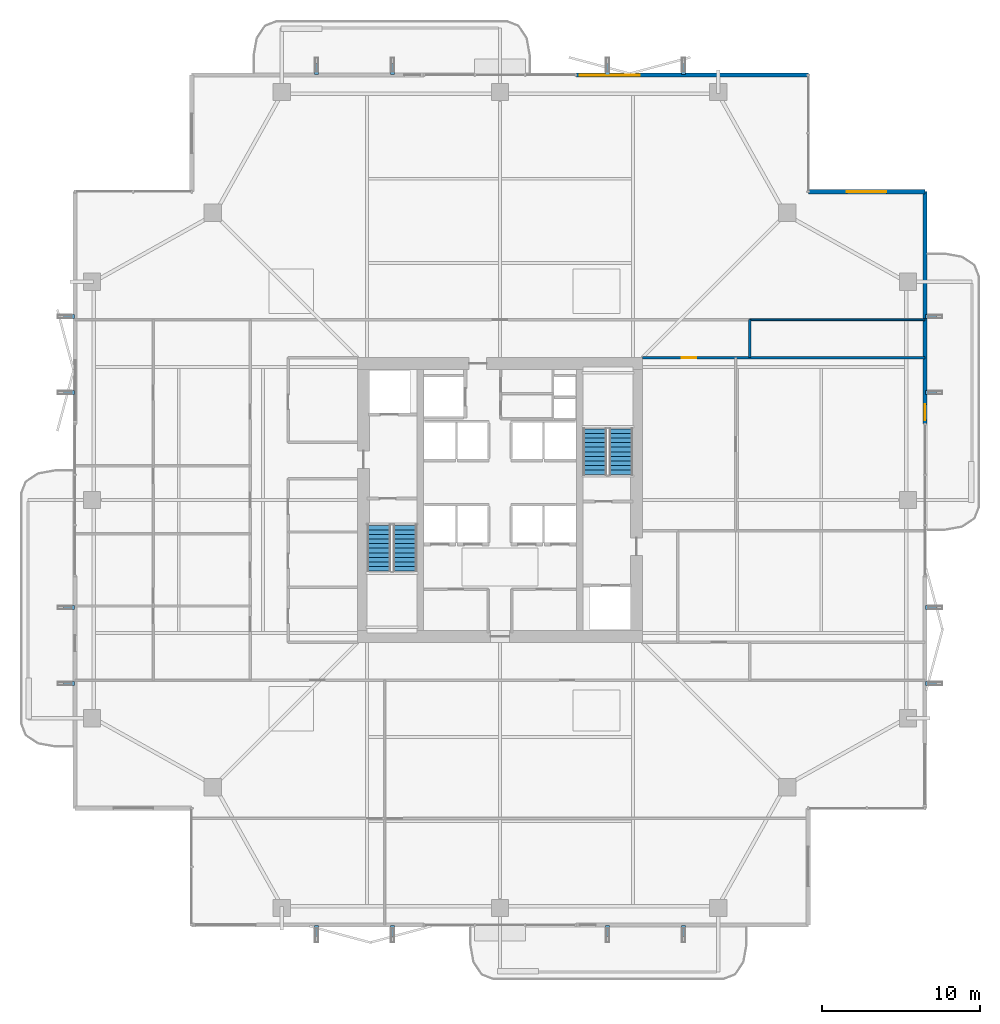
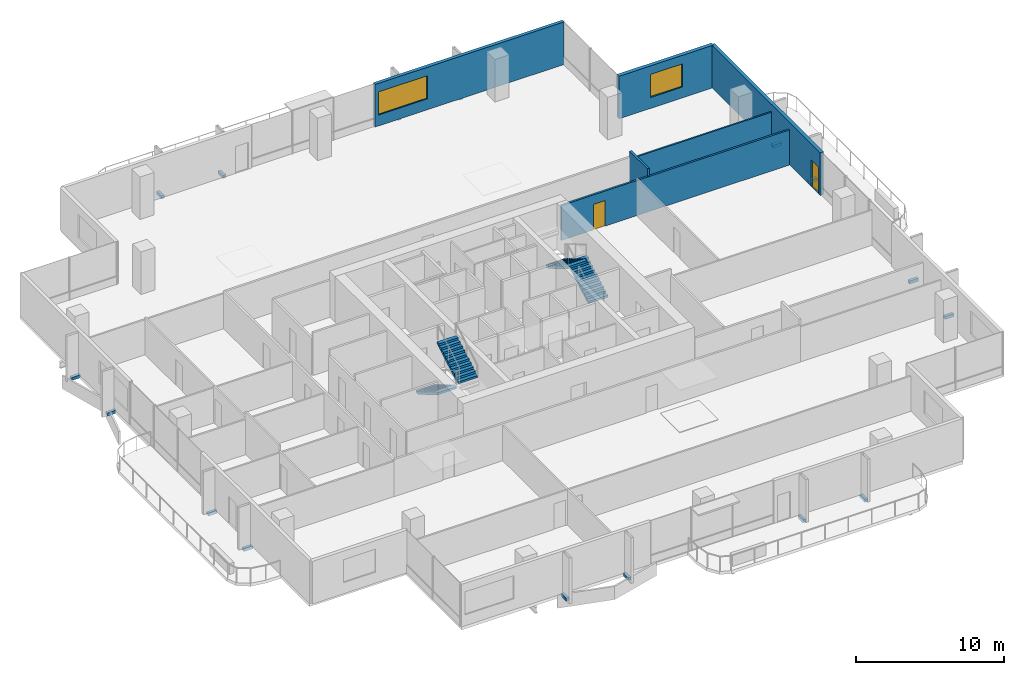
# One storey, part 25 of 29: 16 discrete accessories, 6 walls, 4 stair flights, 2 doors, 2 windows, 4 openings, 2 elements without a shape of their own.
"""IFC4 building model written with IfcOpenShell, lengths in metres."""

import ifcopenshell
import ifcopenshell.guid

model = None  # the IFC model being written
_history = None  # IfcOwnerHistory: only IFC2X3 demands one
_inside = {}  # id of a spatial element -> (the spatial element, [elements in it])
_under = {}  # id of a project, library or spatial element -> (it, [spatial elements below it])
_declared = {}  # id of a project -> (the project, [libraries it declares])
_typed = {}  # id of a type object -> (the type object, [elements of that type])
_made_of = {}  # id of a material, layer set ... -> (it, [elements and type objects made of it])


def new_model(schema):
    """Start an empty IFC model of exactly this schema.

    Asked for "IFC4X3", IfcOpenShell would pick the latest addendum, in which some entities
    have other attributes; the version numbers below select the first issue.
    IFC2X3 requires an IfcOwnerHistory on every rooted entity: one is made here for all.
    """
    global model, _history
    if schema == "IFC4X3":
        model = ifcopenshell.file(schema_version=(4, 3, 0, 0))
    else:
        model = ifcopenshell.file(schema=schema)
    _inside.clear()
    _under.clear()
    _declared.clear()
    _typed.clear()
    _made_of.clear()
    _history = None
    if model.schema == "IFC2X3":
        org = make("IfcOrganization", Name="unknown")
        user = make(
            "IfcPersonAndOrganization",
            ThePerson=make("IfcPerson", FamilyName="unknown"),
            TheOrganization=org,
        )
        app = make(
            "IfcApplication",
            ApplicationDeveloper=org,
            Version="unknown",
            ApplicationFullName="unknown",
            ApplicationIdentifier="unknown",
        )
        _history = make(
            "IfcOwnerHistory",
            OwningUser=user,
            OwningApplication=app,
            ChangeAction="ADDED",
            CreationDate=0,
        )
    return model


def make(cls, **values):
    """One entity of the class cls with the attributes given. An attribute that is None is left unset."""
    return model.create_entity(
        cls, **{name: value for name, value in values.items() if value is not None}
    )


def rooted(cls, **values):
    """An entity with a GlobalId (a new one), such as an element, a storey or a relation."""
    return make(cls, GlobalId=ifcopenshell.guid.new(), OwnerHistory=_history, **values)


def si_unit(unit_type, name, prefix=None):
    """IfcSIUnit, for example si_unit("LENGTHUNIT", "METRE", prefix="MILLI")."""
    return make("IfcSIUnit", UnitType=unit_type, Prefix=prefix, Name=name)


def assignment(units):
    """IfcUnitAssignment: the units of a project."""
    return None if units is None else make("IfcUnitAssignment", Units=units)


def point(xyz):
    """IfcCartesianPoint."""
    return None if xyz is None else make("IfcCartesianPoint", Coordinates=xyz)


def direction(xyz):
    """IfcDirection."""
    return None if xyz is None else make("IfcDirection", DirectionRatios=xyz)


def frame(location, z_axis=None, x_axis=None):
    """IfcAxis2Placement3D, a coordinate frame: its origin and axes. An axis left out is left unset."""
    return make(
        "IfcAxis2Placement3D",
        Location=point(location),
        Axis=direction(z_axis),
        RefDirection=direction(x_axis),
    )


def frame_2d(location, x_axis=None):
    """IfcAxis2Placement2D, a coordinate frame in the plane: its origin and x axis."""
    return make(
        "IfcAxis2Placement2D", Location=point(location), RefDirection=direction(x_axis)
    )


def origin():
    """The frame at (0, 0, 0) with its axes left unset."""
    return frame((0.0, 0.0, 0.0))


def origin_2d():
    """The frame at (0, 0) in the plane with its x axis left unset."""
    return frame_2d((0.0, 0.0))


def place(relative_to, where):
    """IfcLocalPlacement: puts the frame where relative to a parent placement (None: the world)."""
    return make(
        "IfcLocalPlacement", PlacementRelTo=relative_to, RelativePlacement=where
    )


def context(
    kind, dimensions, precision=None, world=None, true_north=None, identifier=None
):
    """IfcGeometricRepresentationContext, for example the 3D "Model" context."""
    return make(
        "IfcGeometricRepresentationContext",
        ContextIdentifier=identifier,
        ContextType=kind,
        CoordinateSpaceDimension=dimensions,
        Precision=precision,
        WorldCoordinateSystem=world,
        TrueNorth=true_north,
    )


def subcontext(parent, identifier, kind, view, scale=None):
    """IfcGeometricRepresentationSubContext, for example "Body" below "Model"."""
    return make(
        "IfcGeometricRepresentationSubContext",
        ContextIdentifier=identifier,
        ContextType=kind,
        ParentContext=parent,
        TargetScale=scale,
        TargetView=view,
    )


def project(units=None, contexts=None):
    """IfcProject with its units and contexts."""
    return rooted(
        "IfcProject",
        Name="project",
        RepresentationContexts=contexts,
        UnitsInContext=assignment(units),
    )


def spatial(cls, under=None, at=None, **own):
    """A site, building, storey or space (cls), placed at a placement, below another one or the project."""
    s = rooted(cls, ObjectPlacement=at, **own)
    if under is not None:
        _under.setdefault(under.id(), (under, []))[1].append(s)
    return s


def polyline(points):
    """IfcPolyline through the points."""
    return make("IfcPolyline", Points=[point(p) for p in points])


def profile(cls, at=None, kind="AREA", **sizes):
    """A parametric profile (cls). Its sizes go by their IFC names, for example OverallWidth=200.0."""
    return make(cls, ProfileType=kind, Position=at, **sizes)


def rectangle(**sizes):
    """IfcRectangleProfileDef."""
    return profile("IfcRectangleProfileDef", **sizes)


def outline(outer, holes=None, kind="AREA"):
    """IfcArbitraryClosedProfileDef: a profile drawn as a closed curve; with holes, ...WithVoids."""
    if holes is None:
        return make("IfcArbitraryClosedProfileDef", ProfileType=kind, OuterCurve=outer)
    return make(
        "IfcArbitraryProfileDefWithVoids",
        ProfileType=kind,
        OuterCurve=outer,
        InnerCurves=holes,
    )


def extrude(swept, where, along, depth):
    """IfcExtrudedAreaSolid: the profile swept, set in the frame where, extruded along a direction by depth."""
    return make(
        "IfcExtrudedAreaSolid",
        SweptArea=swept,
        Position=where,
        ExtrudedDirection=direction(along),
        Depth=depth,
    )


def shape(context_of_items, identifier, shape_type, items):
    """IfcShapeRepresentation: the items that make up one representation, for example the "Body"."""
    return make(
        "IfcShapeRepresentation",
        ContextOfItems=context_of_items,
        RepresentationIdentifier=identifier,
        RepresentationType=shape_type,
        Items=items,
    )


def material(Name=None, Category=None):
    """IfcMaterial."""
    return make("IfcMaterial", Name=Name, Category=Category)


def layer(
    of_material, thickness, ventilated=None, Name=None, Category=None, Priority=None
):
    """IfcMaterialLayer: one layer of a wall or slab, of a material (None: an air gap)."""
    return make(
        "IfcMaterialLayer",
        Material=of_material,
        LayerThickness=thickness,
        IsVentilated=ventilated,
        Name=Name,
        Category=Category,
        Priority=Priority,
    )


def layer_set(layers, Name=None):
    """IfcMaterialLayerSet."""
    return make("IfcMaterialLayerSet", MaterialLayers=layers, LayerSetName=Name)


def made_of(thing, what):
    """Note that an element or type object is made of a material, layer set ...; save() writes the relation."""
    if what is not None:
        _made_of.setdefault(what.id(), (what, []))[1].append(thing)
    return thing


def type_object(cls, material=None, **own):
    """A type object (cls), such as IfcWallType, which elements share."""
    return made_of(rooted(cls, **own), material)


def element(
    cls,
    number,
    at=None,
    inside=None,
    cuts=None,
    type_object=None,
    material=None,
    context=None,
    identifier="Body",
    shape_type=None,
    held_by="IfcProductDefinitionShape",
    body=None,
    shapes=None,
    **own,
):
    """One element of the class cls, such as IfcWall. Its Tag is "e" and its number.

    at: its placement. inside: the storey or other place that contains it. cuts: it is an
    opening in that element (IfcRelVoidsElement). A single representation is given by context,
    identifier, shape_type and body (its items); several are given by shapes. held_by: the class
    of the entity that holds the representations. save() writes the other relations.
    """
    e = rooted(cls, Tag="e%d" % number, ObjectPlacement=at, **own)
    if body is not None:
        shapes = [shape(context, identifier, shape_type, body)]
    if shapes is not None:
        e.Representation = make(held_by, Representations=shapes)
    if inside is not None:
        _inside.setdefault(inside.id(), (inside, []))[1].append(e)
    if cuts is not None:
        rooted(
            "IfcRelVoidsElement", RelatingBuildingElement=cuts, RelatedOpeningElement=e
        )
    if type_object is not None:
        _typed.setdefault(type_object.id(), (type_object, []))[1].append(e)
    return made_of(e, material)


def fill(opening, filler):
    """IfcRelFillsElement: the door or window that sits in an opening."""
    return rooted(
        "IfcRelFillsElement",
        RelatingOpeningElement=opening,
        RelatedBuildingElement=filler,
    )


def aggregate(whole, parts):
    """IfcRelAggregates: a whole, such as a stair, and the parts it consists of."""
    return rooted("IfcRelAggregates", RelatingObject=whole, RelatedObjects=parts)


def save(model, path):
    """Write the relations noted so far, then the file.

    IfcRelAggregates (storeys below a building ...), IfcRelContainedInSpatialStructure (elements
    in a storey), IfcRelDefinesByType, IfcRelAssociatesMaterial and IfcRelDeclares: one each for
    every whole, place, type object, material and project.
    """
    for whole, parts in _under.values():
        aggregate(whole, parts)
    for where, things in _inside.values():
        rooted(
            "IfcRelContainedInSpatialStructure",
            RelatedElements=things,
            RelatingStructure=where,
        )
    for kind, things in _typed.values():
        rooted("IfcRelDefinesByType", RelatedObjects=things, RelatingType=kind)
    for what, things in _made_of.values():
        rooted("IfcRelAssociatesMaterial", RelatedObjects=things, RelatingMaterial=what)
    for by, libraries in _declared.values():
        rooted("IfcRelDeclares", RelatingContext=by, RelatedDefinitions=libraries)
    model.write(path)


model = new_model("IFC4")

# Units and contexts
model_context = context("Model", 3, precision=1e-05, world=origin(), true_north=direction((0.0, 1.0)))
body_context = subcontext(model_context, "Body", "Model", "MODEL_VIEW")
ifc_project = project(units=[si_unit("LENGTHUNIT", "METRE"), si_unit("AREAUNIT", "SQUARE_METRE"), si_unit("VOLUMEUNIT", "CUBIC_METRE"), si_unit("PLANEANGLEUNIT", "RADIAN"), si_unit("MASSUNIT", "GRAM", prefix="KILO")], contexts=[model_context])

# Site, building, storey
site_placement = place(None, origin())
site = spatial("IfcSite", under=ifc_project, at=site_placement, CompositionType="ELEMENT")
building_placement = place(site_placement, origin())
building = spatial("IfcBuilding", under=site, at=building_placement, Name="Belovzor Exchange Tower", CompositionType="ELEMENT")
storey_placement = place(building_placement, frame((0.0, 0.0, 199.949951171875)))
storey = spatial("IfcBuildingStorey", under=building, at=storey_placement, Name="L49", CompositionType="ELEMENT", Elevation=199.949951171875)

# Walls
ifc_material_1 = material(Name="Acoustic Plasterboard on Galvanised Studs", Category="gypsum")
ifc_layer_1 = layer(ifc_material_1, 0.1201171875)
ifc_layer_set_1 = layer_set([ifc_layer_1], Name="Acoustic Plasterboard on Galvanised Studs")
wall_type_1 = type_object("IfcWallType", Name="Acoustic Double-Stud Partition Wall 120", PredefinedType="PARTITIONING", material=ifc_layer_set_1)
wall_1_placement = place(storey_placement, frame((44.60009765625, 40.199951171875, 0.0), z_axis=(0.0, 0.0, 1.0), x_axis=(1.0, 0.0, 0.0)))
element("IfcWall", 1, at=wall_1_placement, inside=storey, type_object=wall_type_1, Name="W-P120 Partition Wall W-L49-END-NE", PredefinedType="PARTITIONING", context=body_context, shape_type="SweptSolid", body=[
    extrude(rectangle(XDim=11.06982421875, YDim=0.1201171875, at=frame_2d((5.534912109375, 0.0))), origin(), (0.0, 0.0, 1.0), 2.885009765625),
])
ifc_material_2 = material(Name="Fire-Rated Gypsum Block and Mineral Wool", Category="gypsum")
ifc_layer_2 = layer(ifc_material_2, 0.14990234375)
ifc_layer_set_2 = layer_set([ifc_layer_2], Name="Fire-Rated Gypsum Block and Mineral Wool")
wall_type_2 = type_object("IfcWallType", Name="Fire-Rated Gypsum Block Corridor Wall 150", PredefinedType="PARTITIONING", material=ifc_layer_set_2)
wall_2_placement = place(storey_placement, frame((44.60009765625, 37.800048828125, 0.0), z_axis=(0.0, 0.0, 1.0), x_axis=(0.0, 1.0, 0.0)))
element("IfcWall", 2, at=wall_2_placement, inside=storey, type_object=wall_type_2, Name="W-P150 Partition Wall W-L49-END-EN", PredefinedType="PARTITIONING", context=body_context, shape_type="SweptSolid", body=[
    extrude(rectangle(XDim=2.39990234375, YDim=0.14990234375, at=frame_2d((1.199951171875, 0.0))), origin(), (0.0, 0.0, 1.0), 3.5),
])

# Wall, opening, door
wall_3_placement = place(storey_placement, frame((37.800048828125, 37.800048828125, 0.0), z_axis=(0.0, 0.0, 1.0), x_axis=(1.0, 0.0, 0.0)))
wall_3 = element("IfcWall", 3, at=wall_3_placement, inside=storey, type_object=wall_type_2, Name="W-P150 Partition Wall W-L49-CN-IN", PredefinedType="PARTITIONING", context=body_context, shape_type="SweptSolid", body=[
    extrude(rectangle(XDim=17.869873046875, YDim=0.14990234375, at=frame_2d((8.93505859375, 0.0))), origin(), (0.0, 0.0, 1.0), 2.885009765625),
])
opening_1_placement = place(wall_3_placement, frame((2.5, 0.0, 0.0)))
opening_1 = element("IfcOpeningElement", 4, at=opening_1_placement, cuts=wall_3, Name="Opening D-INT-090", PredefinedType="OPENING", context=body_context, shape_type="SweptSolid", body=[
    extrude(rectangle(XDim=0.89990234375, YDim=2.10009765625, at=frame_2d((0.449951171875, 1.050048828125))), frame((0.0, 0.0849609375, 0.0), z_axis=(0.0, -1.0, 0.0), x_axis=(1.0, 0.0, 0.0)), (0.0, 0.0, 1.0), 0.169921875),
])
ifc_material_3 = material(Name="Veneered Hardwood Acoustic Leaf", Category="wood")
door_type_1 = type_object("IfcDoorType", Name="Trading Suite Acoustic Single Door 900x2100", OperationType="NOTDEFINED", PredefinedType="DOOR", material=ifc_material_3)
door_1_placement = place(opening_1_placement, origin())
door_1 = element("IfcDoor", 5, at=door_1_placement, inside=storey, type_object=door_type_1, Name="D-INT-090 Trading Suite Acoustic Single Door 900x2100", OperationType="SINGLE_SWING_RIGHT", OverallHeight=2.10009765625, OverallWidth=0.89990234375, PredefinedType="DOOR", context=body_context, shape_type="SweptSolid", body=[
    extrude(rectangle(XDim=0.89990234375, YDim=2.10009765625, at=frame_2d((0.449951171875, 1.050048828125))), frame((0.0, 0.02490234375, 0.0), z_axis=(0.0, -1.0, 0.0), x_axis=(1.0, 0.0, 0.0)), (0.0, 0.0, 1.0), 0.050048828125),
])
fill(opening_1, door_1)

# Wall, opening, window
ifc_material_4 = material(Name="Precast concrete C40/50", Category="concrete")
ifc_layer_3 = layer(ifc_material_4, 0.280029296875)
ifc_layer_set_3 = layer_set([ifc_layer_3], Name="Precast concrete C40/50")
wall_type_3 = type_object("IfcWallType", Name="Precast Concrete Notched Corner Frame Wall 280", PredefinedType="SOLIDWALL", material=ifc_layer_set_3)
wall_4_placement = place(storey_placement, frame((48.300048828125, 48.300048828125, 0.0), z_axis=(0.0, 0.0, 1.0), x_axis=(1.0, 0.0, 0.0)))
wall_4 = element("IfcWall", 6, at=wall_4_placement, inside=storey, type_object=wall_type_3, Name="W-CRN280 Precast Concrete Notched Corner Frame Wall 280 L49", PredefinedType="SOLIDWALL", context=body_context, shape_type="SweptSolid", body=[
    extrude(rectangle(XDim=7.369873046875, YDim=0.280029296875, at=frame_2d((3.68505859375, 0.0))), origin(), (0.0, 0.0, 1.0), 3.5),
])
opening_2_placement = place(wall_4_placement, frame((2.43505859375, 0.0, 0.89990234375)))
opening_2 = element("IfcOpeningElement", 7, at=opening_2_placement, cuts=wall_4, Name="Opening WN-CRN250", PredefinedType="OPENING", context=body_context, shape_type="SweptSolid", body=[
    extrude(rectangle(XDim=2.5, YDim=1.89990234375, at=frame_2d((1.25, 0.949951171875))), frame((0.0, 0.14990234375, 0.0), z_axis=(0.0, -1.0, 0.0), x_axis=(1.0, 0.0, 0.0)), (0.0, 0.0, 1.0), 0.300048828125),
])
ifc_material_5 = material(Name="Thermally Broken Aluminium and Triple Glazing", Category="aluminium")
window_type_1 = type_object("IfcWindowType", Name="Streamline Moderne Corner Wrap Ribbon Window 2500x1900", PartitioningType="SINGLE_PANEL", PredefinedType="WINDOW", material=ifc_material_5)
window_1_placement = place(opening_2_placement, origin())
window_1 = element("IfcWindow", 8, at=window_1_placement, inside=storey, type_object=window_type_1, Name="WN-CRN250 Streamline Moderne Corner Wrap Ribbon Window 2500x1900", OverallHeight=1.89990234375, OverallWidth=2.5, PartitioningType="SINGLE_PANEL", PredefinedType="WINDOW", context=body_context, shape_type="SweptSolid", body=[
    extrude(rectangle(XDim=2.5, YDim=1.89990234375, at=frame_2d((1.25, 0.949951171875))), frame((0.0, 0.030029296875, 0.0), z_axis=(0.0, -1.0, 0.0), x_axis=(1.0, 0.0, 0.0)), (0.0, 0.0, 1.0), 0.06005859375),
])
fill(opening_2, window_1)

ifc_material_6 = material(Name="Precast concrete C40/50", Category="concrete")
ifc_layer_4 = layer(ifc_material_6, 0.260009765625)
ifc_layer_set_4 = layer_set([ifc_layer_4], Name="Precast concrete C40/50")
wall_type_4 = type_object("IfcWallType", Name="Precast Concrete Perimeter Loggia Frame Wall 260", PredefinedType="SOLIDWALL", material=ifc_layer_set_4)
wall_5_placement = place(storey_placement, frame((33.60009765625, 55.669921875, 0.0), z_axis=(0.0, 0.0, 1.0), x_axis=(1.0, 0.0, 0.0)))
wall_5 = element("IfcWall", 9, at=wall_5_placement, inside=storey, type_object=wall_type_4, Name="W-EXT260 Precast Concrete Perimeter Loggia Frame Wall 260 L49", PredefinedType="SOLIDWALL", context=body_context, shape_type="SweptSolid", body=[
    extrude(rectangle(XDim=14.699951171875, YDim=0.260009765625, at=frame_2d((7.35009765625, 0.0))), origin(), (0.0, 0.0, 1.0), 3.5),
])
opening_3_placement = place(wall_5_placement, frame((0.25, 0.0, 0.89990234375)))
opening_3 = element("IfcOpeningElement", 10, at=opening_3_placement, cuts=wall_5, Name="Opening WN-RIB380", PredefinedType="OPENING", context=body_context, shape_type="SweptSolid", body=[
    extrude(rectangle(XDim=3.800048828125, YDim=1.89990234375, at=frame_2d((1.89990234375, 0.949951171875))), frame((0.0, 0.139892578125, 0.0), z_axis=(0.0, -1.0, 0.0), x_axis=(1.0, 0.0, 0.0)), (0.0, 0.0, 1.0), 0.280029296875),
])
ifc_material_7 = material(Name="Thermally Broken Aluminium and Triple Glazing", Category="aluminium")
window_type_2 = type_object("IfcWindowType", Name="Streamline Moderne Horizontal Ribbon Window 3800x1900", PartitioningType="SINGLE_PANEL", PredefinedType="WINDOW", material=ifc_material_7)
window_2_placement = place(opening_3_placement, origin())
window_2 = element("IfcWindow", 11, at=window_2_placement, inside=storey, type_object=window_type_2, Name="WN-RIB380 Streamline Moderne Horizontal Ribbon Window 3800x1900", OverallHeight=1.89990234375, OverallWidth=3.800048828125, PartitioningType="SINGLE_PANEL", PredefinedType="WINDOW", context=body_context, shape_type="SweptSolid", body=[
    extrude(rectangle(XDim=3.800048828125, YDim=1.89990234375, at=frame_2d((1.89990234375, 0.949951171875))), frame((0.0, 0.030029296875, 0.0), z_axis=(0.0, -1.0, 0.0), x_axis=(1.0, 0.0, 0.0)), (0.0, 0.0, 1.0), 0.06005859375),
])
fill(opening_3, window_2)

# Wall, opening, door
wall_6_placement = place(storey_placement, frame((55.669921875, 48.300048828125, 0.0), z_axis=(0.0, 0.0, 1.0), x_axis=(0.0, -1.0, 0.0)))
wall_6 = element("IfcWall", 12, at=wall_6_placement, inside=storey, type_object=wall_type_4, Name="W-EXT260 Precast Concrete Perimeter Loggia Frame Wall 260 L49", PredefinedType="SOLIDWALL", context=body_context, shape_type="SweptSolid", body=[
    extrude(rectangle(XDim=14.699951171875, YDim=0.260009765625, at=frame_2d((7.35009765625, 0.0))), origin(), (0.0, 0.0, 1.0), 3.5),
])
opening_4_placement = place(wall_6_placement, frame((13.449951171875, 0.0, 0.0)))
opening_4 = element("IfcOpeningElement", 13, at=opening_4_placement, cuts=wall_6, Name="Opening D-BAL100", PredefinedType="OPENING", context=body_context, shape_type="SweptSolid", body=[
    extrude(rectangle(XDim=1.0, YDim=2.199951171875, at=frame_2d((0.5, 1.10009765625))), frame((0.0, 0.139892578125, 0.0), z_axis=(0.0, -1.0, 0.0), x_axis=(1.0, 0.0, 0.0)), (0.0, 0.0, 1.0), 0.280029296875),
])
ifc_material_8 = material(Name="Thermally Broken Anodised Aluminium and Laminated Glass", Category="aluminium")
door_type_2 = type_object("IfcDoorType", Name="Planted Loggia Terrace Glazed Door 1000x2200", OperationType="SINGLE_SWING_LEFT", PredefinedType="DOOR", material=ifc_material_8)
door_2_placement = place(opening_4_placement, origin())
door_2 = element("IfcDoor", 14, at=door_2_placement, inside=storey, type_object=door_type_2, Name="D-BAL100 Balcony Terrace Door L49 E", OperationType="SINGLE_SWING_LEFT", OverallHeight=2.199951171875, OverallWidth=1.0, PredefinedType="DOOR", context=body_context, shape_type="SweptSolid", body=[
    extrude(rectangle(XDim=1.0, YDim=2.199951171875, at=frame_2d((0.5, 1.10009765625))), frame((0.0, 0.02490234375, 0.0), z_axis=(0.0, -1.0, 0.0), x_axis=(1.0, 0.0, 0.0)), (0.0, 0.0, 1.0), 0.050048828125),
])
fill(opening_4, door_2)

# Stair, stair flights
ifc_material_9 = material(Name="Concrete C40/50", Category="concrete")
stair_type = type_object("IfcStairType", Name="Reinforced Concrete Dogleg Escape Stair 1350", PredefinedType="HALF_TURN_STAIR", material=ifc_material_9)
stair_1_placement = place(storey_placement, origin())
stair_1 = element("IfcStair", 15, at=stair_1_placement, inside=storey, type_object=stair_type, Name="L49 ST-1", PredefinedType="HALF_TURN_STAIR")
ifc_material_10 = material(Name="Concrete C40/50", Category="concrete")
stair_flight_type = type_object("IfcStairFlightType", Name="Reinforced Concrete Stair Flight 1350", PredefinedType="STRAIGHT", material=ifc_material_10)
stair_flight_1_placement = place(storey_placement, frame((21.14990234375, 27.199951171875, 0.0), z_axis=(0.0, 0.0, 1.0), x_axis=(0.0, -1.0, 0.0)))
stair_flight_1 = element("IfcStairFlight", 16, at=stair_flight_1_placement, type_object=stair_flight_type, Name="ST-1 flight 1", NumberOfRisers=11, NumberOfTreads=10, PredefinedType="STRAIGHT", RiserHeight=0.170454545, TreadLength=0.29, context=body_context, shape_type="SweptSolid", body=[
    extrude(outline(polyline([(0.0, 0.0), (0.0, 0.17041015625), (0.2900390625, 0.17041015625), (0.2900390625, 0.3408203125), (0.580078125, 0.3408203125), (0.580078125, 0.511474609375), (0.8701171875, 0.511474609375), (0.8701171875, 0.681884765625), (1.159912109375, 0.681884765625), (1.159912109375, 0.852294921875), (1.449951171875, 0.852294921875), (1.449951171875, 1.022705078125), (1.739990234375, 1.022705078125), (1.739990234375, 1.193115234375), (2.030029296875, 1.193115234375), (2.030029296875, 1.363525390625), (2.320068359375, 1.363525390625), (2.320068359375, 1.5341796875), (2.610107421875, 1.5341796875), (2.610107421875, 1.70458984375), (2.89990234375, 1.70458984375), (2.89990234375, 1.875), (2.89990234375, 1.53076171875), (0.2958984375, 0.0), (0.0, 0.0)])), frame((0.0, 0.75, 0.0), z_axis=(0.0, -1.0, 0.0), x_axis=(1.0, 0.0, 0.0)), (0.0, 0.0, 1.0), 1.5),
])
stair_flight_2_placement = place(storey_placement, frame((22.800048828125, 24.300048828125, 1.875), z_axis=(0.0, 0.0, 1.0), x_axis=(0.0, 1.0, 0.0)))
stair_flight_2 = element("IfcStairFlight", 17, at=stair_flight_2_placement, type_object=stair_flight_type, Name="ST-1 flight 2", NumberOfRisers=11, NumberOfTreads=10, PredefinedType="STRAIGHT", RiserHeight=0.170454545, TreadLength=0.29, context=body_context, shape_type="SweptSolid", body=[
    extrude(outline(polyline([(0.0, 0.0), (0.0, 0.17041015625), (0.2900390625, 0.17041015625), (0.2900390625, 0.3408203125), (0.580078125, 0.3408203125), (0.580078125, 0.511474609375), (0.8701171875, 0.511474609375), (0.8701171875, 0.681884765625), (1.159912109375, 0.681884765625), (1.159912109375, 0.852294921875), (1.449951171875, 0.852294921875), (1.449951171875, 1.022705078125), (1.739990234375, 1.022705078125), (1.739990234375, 1.193115234375), (2.030029296875, 1.193115234375), (2.030029296875, 1.363525390625), (2.320068359375, 1.363525390625), (2.320068359375, 1.5341796875), (2.610107421875, 1.5341796875), (2.610107421875, 1.70458984375), (2.89990234375, 1.70458984375), (2.89990234375, 1.875), (2.89990234375, 1.53076171875), (0.2958984375, 0.0), (0.0, 0.0)])), frame((0.0, 0.75, 0.0), z_axis=(0.0, -1.0, 0.0), x_axis=(1.0, 0.0, 0.0)), (0.0, 0.0, 1.0), 1.5),
])
aggregate(stair_1, [stair_flight_1, stair_flight_2])

stair_2_placement = place(storey_placement, origin())
stair_2 = element("IfcStair", 18, at=stair_2_placement, inside=storey, type_object=stair_type, Name="L49 ST-2", PredefinedType="HALF_TURN_STAIR")
stair_flight_3_placement = place(storey_placement, frame((36.449951171875, 30.39990234375, 0.0), z_axis=(0.0, 0.0, 1.0), x_axis=(0.0, 1.0, 0.0)))
stair_flight_3 = element("IfcStairFlight", 19, at=stair_flight_3_placement, type_object=stair_flight_type, Name="ST-2 flight 1", NumberOfRisers=11, NumberOfTreads=10, PredefinedType="STRAIGHT", RiserHeight=0.170454545, TreadLength=0.29, context=body_context, shape_type="SweptSolid", body=[
    extrude(outline(polyline([(0.0, 0.0), (0.0, 0.17041015625), (0.2900390625, 0.17041015625), (0.2900390625, 0.3408203125), (0.580078125, 0.3408203125), (0.580078125, 0.511474609375), (0.8701171875, 0.511474609375), (0.8701171875, 0.681884765625), (1.159912109375, 0.681884765625), (1.159912109375, 0.852294921875), (1.449951171875, 0.852294921875), (1.449951171875, 1.022705078125), (1.739990234375, 1.022705078125), (1.739990234375, 1.193115234375), (2.030029296875, 1.193115234375), (2.030029296875, 1.363525390625), (2.320068359375, 1.363525390625), (2.320068359375, 1.5341796875), (2.610107421875, 1.5341796875), (2.610107421875, 1.70458984375), (2.89990234375, 1.70458984375), (2.89990234375, 1.875), (2.89990234375, 1.53076171875), (0.2958984375, 0.0), (0.0, 0.0)])), frame((0.0, 0.75, 0.0), z_axis=(0.0, -1.0, 0.0), x_axis=(1.0, 0.0, 0.0)), (0.0, 0.0, 1.0), 1.5),
])
stair_flight_4_placement = place(storey_placement, frame((34.800048828125, 33.300048828125, 1.875), z_axis=(0.0, 0.0, 1.0), x_axis=(0.0, -1.0, 0.0)))
stair_flight_4 = element("IfcStairFlight", 20, at=stair_flight_4_placement, type_object=stair_flight_type, Name="ST-2 flight 2", NumberOfRisers=11, NumberOfTreads=10, PredefinedType="STRAIGHT", RiserHeight=0.170454545, TreadLength=0.29, context=body_context, shape_type="SweptSolid", body=[
    extrude(outline(polyline([(0.0, 0.0), (0.0, 0.17041015625), (0.2900390625, 0.17041015625), (0.2900390625, 0.3408203125), (0.580078125, 0.3408203125), (0.580078125, 0.511474609375), (0.8701171875, 0.511474609375), (0.8701171875, 0.681884765625), (1.159912109375, 0.681884765625), (1.159912109375, 0.852294921875), (1.449951171875, 0.852294921875), (1.449951171875, 1.022705078125), (1.739990234375, 1.022705078125), (1.739990234375, 1.193115234375), (2.030029296875, 1.193115234375), (2.030029296875, 1.363525390625), (2.320068359375, 1.363525390625), (2.320068359375, 1.5341796875), (2.610107421875, 1.5341796875), (2.610107421875, 1.70458984375), (2.89990234375, 1.70458984375), (2.89990234375, 1.875), (2.89990234375, 1.53076171875), (0.2958984375, 0.0), (0.0, 0.0)])), frame((0.0, 0.75, 0.0), z_axis=(0.0, -1.0, 0.0), x_axis=(1.0, 0.0, 0.0)), (0.0, 0.0, 1.0), 1.5),
])
aggregate(stair_2, [stair_flight_3, stair_flight_4])

# Discrete accessories
ifc_material_11 = material(Name="Stainless Steel Grade 316", Category="steel")
ifc_layer_5 = layer(ifc_material_11, 0.179931640625)
ifc_layer_set_5 = layer_set([ifc_layer_5], Name="Stainless Steel Grade 316")
discrete_accessory_type = type_object("IfcDiscreteAccessoryType", Name="Stainless Steel Facade Outrigger Fixing Bracket", PredefinedType="BRACKET", material=ifc_layer_set_5)
for number, where, z_axis, x_axis, name in (
    (21, (17.199951171875, 1.5380859375, -0.2451171875), (0.0, 0.0, 1.0), (0.0, 1.0, 0.0), "BRK-FIN1 Sweeping Fin Outrigger Bracket L49 S1"),
    (22, (17.199951171875, 56.06201171875, -0.2451171875), (0.0, 0.0, 1.0), (0.0, 1.0, 0.0), "BRK-FIN1 Sweeping Fin Outrigger Bracket L49 N1"),
    (23, (1.5380859375, 17.199951171875, -0.2451171875), (0.0, 0.0, 1.0), (1.0, 0.0, 0.0), "BRK-FIN1 Sweeping Fin Outrigger Bracket L49 W1"),
    (24, (56.06201171875, 17.199951171875, -0.2451171875), (0.0, 0.0, 1.0), (1.0, 0.0, 0.0), "BRK-FIN1 Sweeping Fin Outrigger Bracket L49 E1"),
    (25, (22.0, 1.5380859375, -0.2451171875), (0.0, 0.0, 1.0), (0.0, 1.0, 0.0), "BRK-FIN1 Sweeping Fin Outrigger Bracket L49 S2"),
    (26, (22.0, 56.06201171875, -0.2451171875), (0.0, 0.0, 1.0), (0.0, 1.0, 0.0), "BRK-FIN1 Sweeping Fin Outrigger Bracket L49 N2"),
    (27, (1.5380859375, 22.0, -0.2451171875), (0.0, 0.0, 1.0), (1.0, 0.0, 0.0), "BRK-FIN1 Sweeping Fin Outrigger Bracket L49 W2"),
    (28, (56.06201171875, 22.0, -0.2451171875), (0.0, 0.0, 1.0), (1.0, 0.0, 0.0), "BRK-FIN1 Sweeping Fin Outrigger Bracket L49 E2"),
    (29, (35.60009765625, 1.5380859375, -0.2451171875), (0.0, 0.0, 1.0), (0.0, 1.0, 0.0), "BRK-FIN1 Sweeping Fin Outrigger Bracket L49 S3"),
    (30, (35.60009765625, 56.06201171875, -0.2451171875), (0.0, 0.0, 1.0), (0.0, 1.0, 0.0), "BRK-FIN1 Sweeping Fin Outrigger Bracket L49 N3"),
    (31, (1.5380859375, 35.60009765625, -0.2451171875), (0.0, 0.0, 1.0), (1.0, 0.0, 0.0), "BRK-FIN1 Sweeping Fin Outrigger Bracket L49 W3"),
    (32, (56.06201171875, 35.60009765625, -0.2451171875), (0.0, 0.0, 1.0), (1.0, 0.0, 0.0), "BRK-FIN1 Sweeping Fin Outrigger Bracket L49 E3"),
    (33, (40.39990234375, 1.5380859375, -0.2451171875), (0.0, 0.0, 1.0), (0.0, 1.0, 0.0), "BRK-FIN1 Sweeping Fin Outrigger Bracket L49 S4"),
    (34, (40.39990234375, 56.06201171875, -0.2451171875), (0.0, 0.0, 1.0), (0.0, 1.0, 0.0), "BRK-FIN1 Sweeping Fin Outrigger Bracket L49 N4"),
    (35, (1.5380859375, 40.39990234375, -0.2451171875), (0.0, 0.0, 1.0), (1.0, 0.0, 0.0), "BRK-FIN1 Sweeping Fin Outrigger Bracket L49 W4"),
    (36, (56.06201171875, 40.39990234375, -0.2451171875), (0.0, 0.0, 1.0), (1.0, 0.0, 0.0), "BRK-FIN1 Sweeping Fin Outrigger Bracket L49 E4"),
):
    element("IfcDiscreteAccessory", number, at=place(storey_placement, frame(where, z_axis=z_axis, x_axis=x_axis)), inside=storey, type_object=discrete_accessory_type, Name=name, PredefinedType="BRACKET", context=body_context, shape_type="SweptSolid", body=[
        extrude(rectangle(XDim=0.68505859375, YDim=0.239990234375, at=origin_2d()), origin(), (0.0, 0.0, 1.0), 0.239990234375),
    ])

save(model, "model.ifc")
